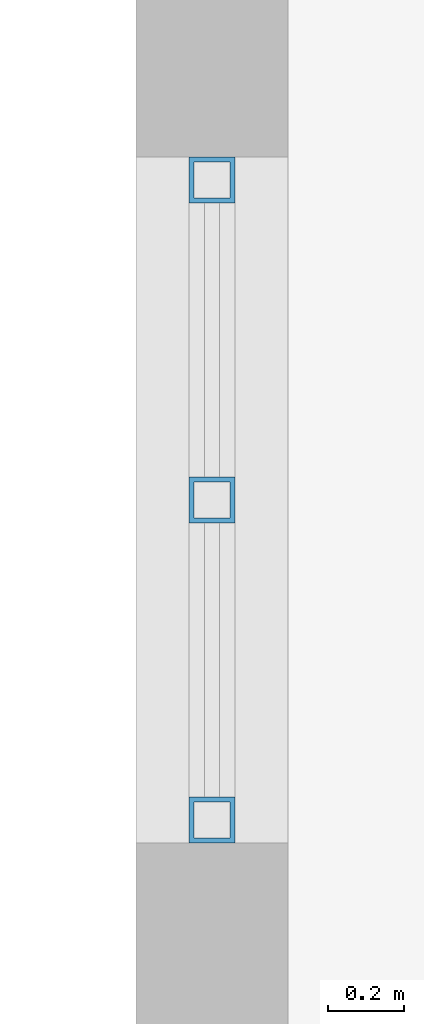
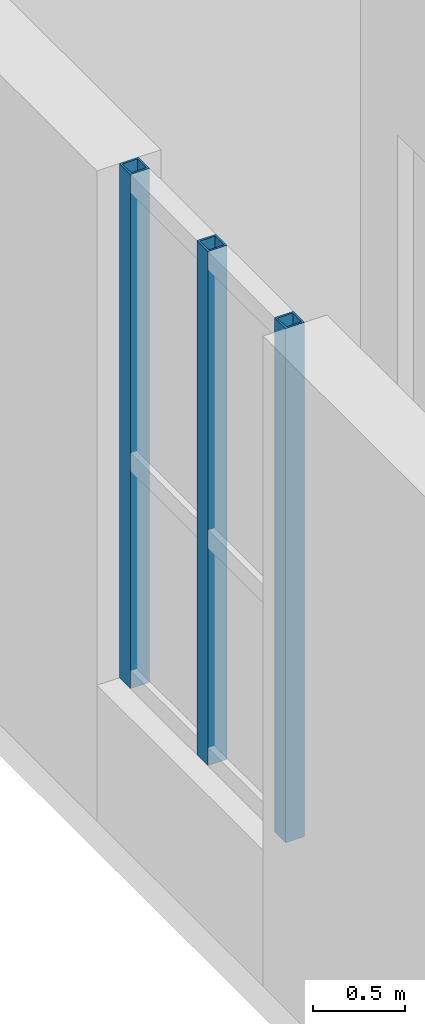
# One storey, part 41 of 134: 3 members, 1 element without a shape of its own.
"""IFC4 building model written with IfcOpenShell, lengths in metres."""

import ifcopenshell
import ifcopenshell.guid

model = None  # the IFC model being written
_history = None  # IfcOwnerHistory: only IFC2X3 demands one
_inside = {}  # id of a spatial element -> (the spatial element, [elements in it])
_under = {}  # id of a project, library or spatial element -> (it, [spatial elements below it])
_declared = {}  # id of a project -> (the project, [libraries it declares])
_typed = {}  # id of a type object -> (the type object, [elements of that type])
_made_of = {}  # id of a material, layer set ... -> (it, [elements and type objects made of it])


def new_model(schema):
    """Start an empty IFC model of exactly this schema.

    Asked for "IFC4X3", IfcOpenShell would pick the latest addendum, in which some entities
    have other attributes; the version numbers below select the first issue.
    IFC2X3 requires an IfcOwnerHistory on every rooted entity: one is made here for all.
    """
    global model, _history
    if schema == "IFC4X3":
        model = ifcopenshell.file(schema_version=(4, 3, 0, 0))
    else:
        model = ifcopenshell.file(schema=schema)
    _inside.clear()
    _under.clear()
    _declared.clear()
    _typed.clear()
    _made_of.clear()
    _history = None
    if model.schema == "IFC2X3":
        org = make("IfcOrganization", Name="unknown")
        user = make(
            "IfcPersonAndOrganization",
            ThePerson=make("IfcPerson", FamilyName="unknown"),
            TheOrganization=org,
        )
        app = make(
            "IfcApplication",
            ApplicationDeveloper=org,
            Version="unknown",
            ApplicationFullName="unknown",
            ApplicationIdentifier="unknown",
        )
        _history = make(
            "IfcOwnerHistory",
            OwningUser=user,
            OwningApplication=app,
            ChangeAction="ADDED",
            CreationDate=0,
        )
    return model


def make(cls, **values):
    """One entity of the class cls with the attributes given. An attribute that is None is left unset."""
    return model.create_entity(
        cls, **{name: value for name, value in values.items() if value is not None}
    )


def rooted(cls, **values):
    """An entity with a GlobalId (a new one), such as an element, a storey or a relation."""
    return make(cls, GlobalId=ifcopenshell.guid.new(), OwnerHistory=_history, **values)


def si_unit(unit_type, name, prefix=None):
    """IfcSIUnit, for example si_unit("LENGTHUNIT", "METRE", prefix="MILLI")."""
    return make("IfcSIUnit", UnitType=unit_type, Prefix=prefix, Name=name)


def assignment(units):
    """IfcUnitAssignment: the units of a project."""
    return None if units is None else make("IfcUnitAssignment", Units=units)


def point(xyz):
    """IfcCartesianPoint."""
    return None if xyz is None else make("IfcCartesianPoint", Coordinates=xyz)


def direction(xyz):
    """IfcDirection."""
    return None if xyz is None else make("IfcDirection", DirectionRatios=xyz)


def frame(location, z_axis=None, x_axis=None):
    """IfcAxis2Placement3D, a coordinate frame: its origin and axes. An axis left out is left unset."""
    return make(
        "IfcAxis2Placement3D",
        Location=point(location),
        Axis=direction(z_axis),
        RefDirection=direction(x_axis),
    )


def frame_2d(location, x_axis=None):
    """IfcAxis2Placement2D, a coordinate frame in the plane: its origin and x axis."""
    return make(
        "IfcAxis2Placement2D", Location=point(location), RefDirection=direction(x_axis)
    )


def origin():
    """The frame at (0, 0, 0) with its axes left unset."""
    return frame((0.0, 0.0, 0.0))


def origin_2d():
    """The frame at (0, 0) in the plane with its x axis left unset."""
    return frame_2d((0.0, 0.0))


def place(relative_to, where):
    """IfcLocalPlacement: puts the frame where relative to a parent placement (None: the world)."""
    return make(
        "IfcLocalPlacement", PlacementRelTo=relative_to, RelativePlacement=where
    )


def context(
    kind, dimensions, precision=None, world=None, true_north=None, identifier=None
):
    """IfcGeometricRepresentationContext, for example the 3D "Model" context."""
    return make(
        "IfcGeometricRepresentationContext",
        ContextIdentifier=identifier,
        ContextType=kind,
        CoordinateSpaceDimension=dimensions,
        Precision=precision,
        WorldCoordinateSystem=world,
        TrueNorth=true_north,
    )


def subcontext(parent, identifier, kind, view, scale=None):
    """IfcGeometricRepresentationSubContext, for example "Body" below "Model"."""
    return make(
        "IfcGeometricRepresentationSubContext",
        ContextIdentifier=identifier,
        ContextType=kind,
        ParentContext=parent,
        TargetScale=scale,
        TargetView=view,
    )


def project(units=None, contexts=None):
    """IfcProject with its units and contexts."""
    return rooted(
        "IfcProject",
        Name="project",
        RepresentationContexts=contexts,
        UnitsInContext=assignment(units),
    )


def spatial(cls, under=None, at=None, **own):
    """A site, building, storey or space (cls), placed at a placement, below another one or the project."""
    s = rooted(cls, ObjectPlacement=at, **own)
    if under is not None:
        _under.setdefault(under.id(), (under, []))[1].append(s)
    return s


def profile(cls, at=None, kind="AREA", **sizes):
    """A parametric profile (cls). Its sizes go by their IFC names, for example OverallWidth=200.0."""
    return make(cls, ProfileType=kind, Position=at, **sizes)


def hollow_rectangle(**sizes):
    """IfcRectangleHollowProfileDef."""
    return profile("IfcRectangleHollowProfileDef", **sizes)


def extrude(swept, where, along, depth):
    """IfcExtrudedAreaSolid: the profile swept, set in the frame where, extruded along a direction by depth."""
    return make(
        "IfcExtrudedAreaSolid",
        SweptArea=swept,
        Position=where,
        ExtrudedDirection=direction(along),
        Depth=depth,
    )


def shape(context_of_items, identifier, shape_type, items):
    """IfcShapeRepresentation: the items that make up one representation, for example the "Body"."""
    return make(
        "IfcShapeRepresentation",
        ContextOfItems=context_of_items,
        RepresentationIdentifier=identifier,
        RepresentationType=shape_type,
        Items=items,
    )


def material(Name=None, Category=None):
    """IfcMaterial."""
    return make("IfcMaterial", Name=Name, Category=Category)


def material_profile(
    of_material, cross_section, Name=None, Category=None, Priority=None
):
    """IfcMaterialProfile: a cross section and its material."""
    return make(
        "IfcMaterialProfile",
        Name=Name,
        Material=of_material,
        Profile=cross_section,
        Priority=Priority,
        Category=Category,
    )


def profile_set(profiles, Name=None, composite=None):
    """IfcMaterialProfileSet."""
    return make(
        "IfcMaterialProfileSet",
        Name=Name,
        MaterialProfiles=profiles,
        CompositeProfile=composite,
    )


def made_of(thing, what):
    """Note that an element or type object is made of a material, layer set ...; save() writes the relation."""
    if what is not None:
        _made_of.setdefault(what.id(), (what, []))[1].append(thing)
    return thing


def type_object(cls, material=None, **own):
    """A type object (cls), such as IfcWallType, which elements share."""
    return made_of(rooted(cls, **own), material)


def element(
    cls,
    number,
    at=None,
    inside=None,
    cuts=None,
    type_object=None,
    material=None,
    context=None,
    identifier="Body",
    shape_type=None,
    held_by="IfcProductDefinitionShape",
    body=None,
    shapes=None,
    **own,
):
    """One element of the class cls, such as IfcWall. Its Tag is "e" and its number.

    at: its placement. inside: the storey or other place that contains it. cuts: it is an
    opening in that element (IfcRelVoidsElement). A single representation is given by context,
    identifier, shape_type and body (its items); several are given by shapes. held_by: the class
    of the entity that holds the representations. save() writes the other relations.
    """
    e = rooted(cls, Tag="e%d" % number, ObjectPlacement=at, **own)
    if body is not None:
        shapes = [shape(context, identifier, shape_type, body)]
    if shapes is not None:
        e.Representation = make(held_by, Representations=shapes)
    if inside is not None:
        _inside.setdefault(inside.id(), (inside, []))[1].append(e)
    if cuts is not None:
        rooted(
            "IfcRelVoidsElement", RelatingBuildingElement=cuts, RelatedOpeningElement=e
        )
    if type_object is not None:
        _typed.setdefault(type_object.id(), (type_object, []))[1].append(e)
    return made_of(e, material)


def aggregate(whole, parts):
    """IfcRelAggregates: a whole, such as a stair, and the parts it consists of."""
    return rooted("IfcRelAggregates", RelatingObject=whole, RelatedObjects=parts)


def save(model, path):
    """Write the relations noted so far, then the file.

    IfcRelAggregates (storeys below a building ...), IfcRelContainedInSpatialStructure (elements
    in a storey), IfcRelDefinesByType, IfcRelAssociatesMaterial and IfcRelDeclares: one each for
    every whole, place, type object, material and project.
    """
    for whole, parts in _under.values():
        aggregate(whole, parts)
    for where, things in _inside.values():
        rooted(
            "IfcRelContainedInSpatialStructure",
            RelatedElements=things,
            RelatingStructure=where,
        )
    for kind, things in _typed.values():
        rooted("IfcRelDefinesByType", RelatedObjects=things, RelatingType=kind)
    for what, things in _made_of.values():
        rooted("IfcRelAssociatesMaterial", RelatedObjects=things, RelatingMaterial=what)
    for by, libraries in _declared.values():
        rooted("IfcRelDeclares", RelatingContext=by, RelatedDefinitions=libraries)
    model.write(path)


model = new_model("IFC4")

# Units and contexts
model_context = context("Model", 3, precision=1e-05, world=origin(), true_north=direction((0.0, 1.0)))
body_context = subcontext(model_context, "Body", "Model", "MODEL_VIEW")
ifc_project = project(units=[si_unit("LENGTHUNIT", "METRE"), si_unit("AREAUNIT", "SQUARE_METRE"), si_unit("VOLUMEUNIT", "CUBIC_METRE"), si_unit("PLANEANGLEUNIT", "RADIAN"), si_unit("MASSUNIT", "GRAM", prefix="KILO")], contexts=[model_context])

# Site, building, storey
site_placement = place(None, origin())
site = spatial("IfcSite", under=ifc_project, at=site_placement, CompositionType="ELEMENT")
building_placement = place(site_placement, origin())
building = spatial("IfcBuilding", under=site, at=building_placement, Name="Golden Quay Civic Hall", CompositionType="ELEMENT")
storey_placement = place(building_placement, frame((0.0, 0.0, 5.39990234375)))
storey = spatial("IfcBuildingStorey", under=building, at=storey_placement, Name="L01", CompositionType="ELEMENT", Elevation=5.39990234375)

# Curtain wall, members
ifc_material_1 = material(Name="Fire-resisting glass and steel", Category="steel")
curtain_wall_type = type_object("IfcCurtainWallType", Name="Fire-resisting glazed stair curtain wall EI 120", PredefinedType="NOTDEFINED", material=ifc_material_1)
curtain_wall_placement = place(storey_placement, origin())
curtain_wall = element("IfcCurtainWall", 1, at=curtain_wall_placement, inside=storey, type_object=curtain_wall_type, Name="CW4 stair curtain wall", PredefinedType="NOTDEFINED")
ifc_material_2 = material(Name="Steel S355", Category="steel")
ifc_material_profile = material_profile(ifc_material_2, hollow_rectangle(XDim=0.1201171875, YDim=0.1201171875, WallThickness=0.012451171875, at=origin_2d()), Name="SHS 120x120x12.5")
ifc_profile_set = profile_set([ifc_material_profile], Name="Steel S355")
member_type = type_object("IfcMemberType", Name="Fire-resisting steel stair mullion 120 x 120", PredefinedType="MULLION", material=ifc_profile_set)
member_1_placement = place(storey_placement, frame((63.0, 103.4599609375, 0.900146484375), z_axis=(0.0, 0.0, 1.0), x_axis=(-1.0, 0.0, 0.0)))
member_1 = element("IfcMember", 2, at=member_1_placement, type_object=member_type, Name="CW4 mullion 1", PredefinedType="MULLION", context=body_context, shape_type="SweptSolid", body=[
    extrude(hollow_rectangle(XDim=0.1201171875, YDim=0.1201171875, WallThickness=0.012451171875, at=origin_2d()), origin(), (0.0, 0.0, 1.0), 3.39990234375),
])
member_2_placement = place(storey_placement, frame((63.0, 104.300048828125, 0.900146484375), z_axis=(0.0, 0.0, 1.0), x_axis=(-1.0, 0.0, 0.0)))
member_2 = element("IfcMember", 3, at=member_2_placement, type_object=member_type, Name="CW4 mullion 2", PredefinedType="MULLION", context=body_context, shape_type="SweptSolid", body=[
    extrude(hollow_rectangle(XDim=0.1201171875, YDim=0.1201171875, WallThickness=0.012451171875, at=origin_2d()), origin(), (0.0, 0.0, 1.0), 3.39990234375),
])
member_3_placement = place(storey_placement, frame((63.0, 105.139892578125, 0.900146484375), z_axis=(0.0, 0.0, 1.0), x_axis=(-1.0, 0.0, 0.0)))
member_3 = element("IfcMember", 4, at=member_3_placement, type_object=member_type, Name="CW4 mullion 3", PredefinedType="MULLION", context=body_context, shape_type="SweptSolid", body=[
    extrude(hollow_rectangle(XDim=0.1201171875, YDim=0.1201171875, WallThickness=0.012451171875, at=origin_2d()), origin(), (0.0, 0.0, 1.0), 3.39990234375),
])
aggregate(curtain_wall, [member_1, member_2, member_3])

save(model, "model.ifc")
